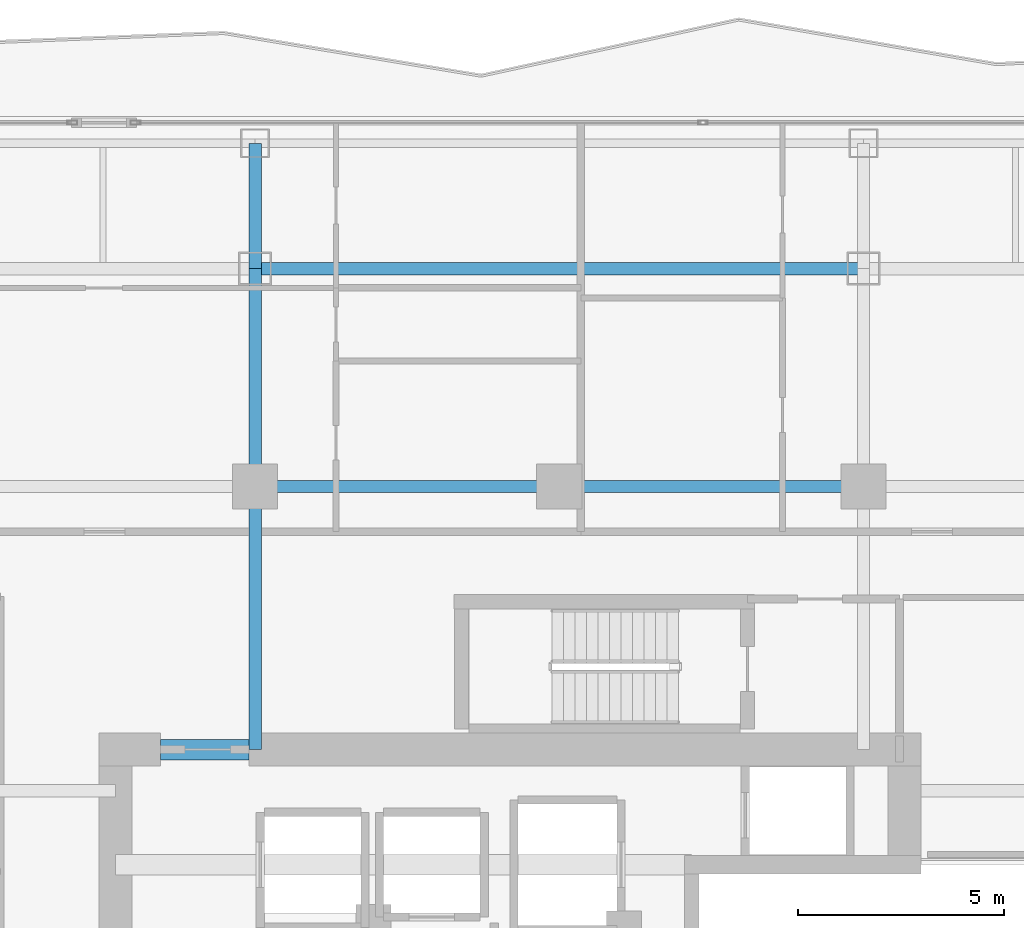
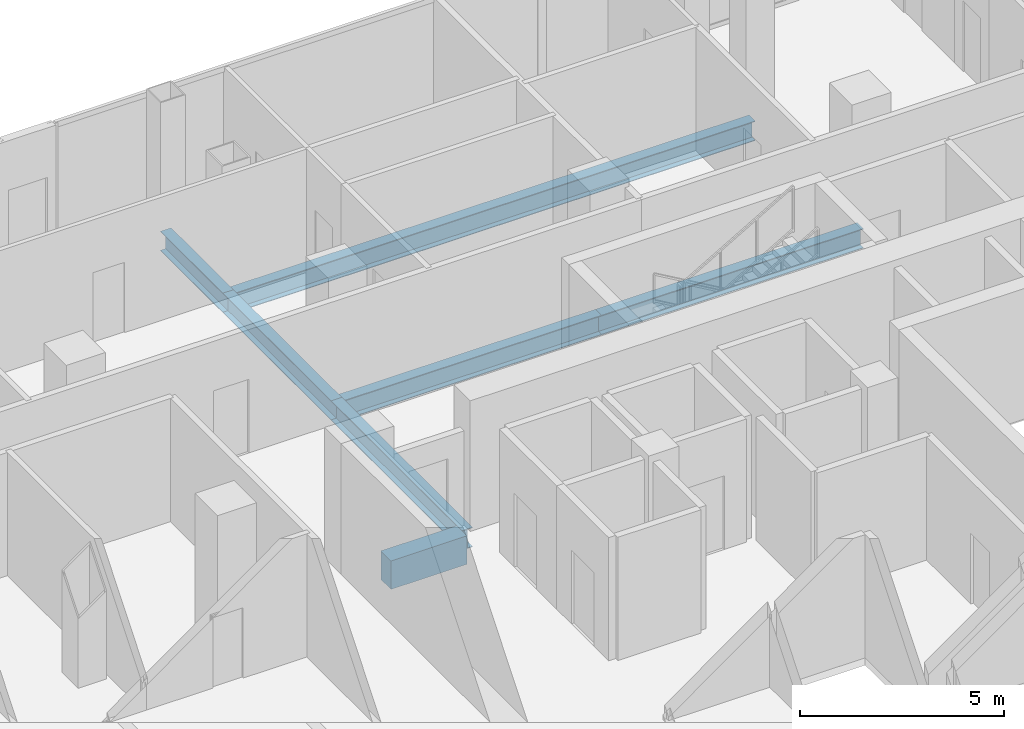
# One storey, part 12 of 25: 7 beams.
"""IFC4 building model written with IfcOpenShell, lengths in metres."""

import ifcopenshell
import ifcopenshell.guid

model = None  # the IFC model being written
_history = None  # IfcOwnerHistory: only IFC2X3 demands one
_inside = {}  # id of a spatial element -> (the spatial element, [elements in it])
_under = {}  # id of a project, library or spatial element -> (it, [spatial elements below it])
_declared = {}  # id of a project -> (the project, [libraries it declares])
_typed = {}  # id of a type object -> (the type object, [elements of that type])
_made_of = {}  # id of a material, layer set ... -> (it, [elements and type objects made of it])


def new_model(schema):
    """Start an empty IFC model of exactly this schema.

    Asked for "IFC4X3", IfcOpenShell would pick the latest addendum, in which some entities
    have other attributes; the version numbers below select the first issue.
    IFC2X3 requires an IfcOwnerHistory on every rooted entity: one is made here for all.
    """
    global model, _history
    if schema == "IFC4X3":
        model = ifcopenshell.file(schema_version=(4, 3, 0, 0))
    else:
        model = ifcopenshell.file(schema=schema)
    _inside.clear()
    _under.clear()
    _declared.clear()
    _typed.clear()
    _made_of.clear()
    _history = None
    if model.schema == "IFC2X3":
        org = make("IfcOrganization", Name="unknown")
        user = make(
            "IfcPersonAndOrganization",
            ThePerson=make("IfcPerson", FamilyName="unknown"),
            TheOrganization=org,
        )
        app = make(
            "IfcApplication",
            ApplicationDeveloper=org,
            Version="unknown",
            ApplicationFullName="unknown",
            ApplicationIdentifier="unknown",
        )
        _history = make(
            "IfcOwnerHistory",
            OwningUser=user,
            OwningApplication=app,
            ChangeAction="ADDED",
            CreationDate=0,
        )
    return model


def make(cls, **values):
    """One entity of the class cls with the attributes given. An attribute that is None is left unset."""
    return model.create_entity(
        cls, **{name: value for name, value in values.items() if value is not None}
    )


def rooted(cls, **values):
    """An entity with a GlobalId (a new one), such as an element, a storey or a relation."""
    return make(cls, GlobalId=ifcopenshell.guid.new(), OwnerHistory=_history, **values)


def si_unit(unit_type, name, prefix=None):
    """IfcSIUnit, for example si_unit("LENGTHUNIT", "METRE", prefix="MILLI")."""
    return make("IfcSIUnit", UnitType=unit_type, Prefix=prefix, Name=name)


def assignment(units):
    """IfcUnitAssignment: the units of a project."""
    return None if units is None else make("IfcUnitAssignment", Units=units)


def point(xyz):
    """IfcCartesianPoint."""
    return None if xyz is None else make("IfcCartesianPoint", Coordinates=xyz)


def direction(xyz):
    """IfcDirection."""
    return None if xyz is None else make("IfcDirection", DirectionRatios=xyz)


def frame(location, z_axis=None, x_axis=None):
    """IfcAxis2Placement3D, a coordinate frame: its origin and axes. An axis left out is left unset."""
    return make(
        "IfcAxis2Placement3D",
        Location=point(location),
        Axis=direction(z_axis),
        RefDirection=direction(x_axis),
    )


def frame_2d(location, x_axis=None):
    """IfcAxis2Placement2D, a coordinate frame in the plane: its origin and x axis."""
    return make(
        "IfcAxis2Placement2D", Location=point(location), RefDirection=direction(x_axis)
    )


def origin():
    """The frame at (0, 0, 0) with its axes left unset."""
    return frame((0.0, 0.0, 0.0))


def origin_2d():
    """The frame at (0, 0) in the plane with its x axis left unset."""
    return frame_2d((0.0, 0.0))


def place(relative_to, where):
    """IfcLocalPlacement: puts the frame where relative to a parent placement (None: the world)."""
    return make(
        "IfcLocalPlacement", PlacementRelTo=relative_to, RelativePlacement=where
    )


def context(
    kind, dimensions, precision=None, world=None, true_north=None, identifier=None
):
    """IfcGeometricRepresentationContext, for example the 3D "Model" context."""
    return make(
        "IfcGeometricRepresentationContext",
        ContextIdentifier=identifier,
        ContextType=kind,
        CoordinateSpaceDimension=dimensions,
        Precision=precision,
        WorldCoordinateSystem=world,
        TrueNorth=true_north,
    )


def subcontext(parent, identifier, kind, view, scale=None):
    """IfcGeometricRepresentationSubContext, for example "Body" below "Model"."""
    return make(
        "IfcGeometricRepresentationSubContext",
        ContextIdentifier=identifier,
        ContextType=kind,
        ParentContext=parent,
        TargetScale=scale,
        TargetView=view,
    )


def project(units=None, contexts=None):
    """IfcProject with its units and contexts."""
    return rooted(
        "IfcProject",
        Name="project",
        RepresentationContexts=contexts,
        UnitsInContext=assignment(units),
    )


def spatial(cls, under=None, at=None, **own):
    """A site, building, storey or space (cls), placed at a placement, below another one or the project."""
    s = rooted(cls, ObjectPlacement=at, **own)
    if under is not None:
        _under.setdefault(under.id(), (under, []))[1].append(s)
    return s


def profile(cls, at=None, kind="AREA", **sizes):
    """A parametric profile (cls). Its sizes go by their IFC names, for example OverallWidth=200.0."""
    return make(cls, ProfileType=kind, Position=at, **sizes)


def rectangle(**sizes):
    """IfcRectangleProfileDef."""
    return profile("IfcRectangleProfileDef", **sizes)


def i_section(**sizes):
    """IfcIShapeProfileDef."""
    return profile("IfcIShapeProfileDef", **sizes)


def extrude(swept, where, along, depth):
    """IfcExtrudedAreaSolid: the profile swept, set in the frame where, extruded along a direction by depth."""
    return make(
        "IfcExtrudedAreaSolid",
        SweptArea=swept,
        Position=where,
        ExtrudedDirection=direction(along),
        Depth=depth,
    )


def shape(context_of_items, identifier, shape_type, items):
    """IfcShapeRepresentation: the items that make up one representation, for example the "Body"."""
    return make(
        "IfcShapeRepresentation",
        ContextOfItems=context_of_items,
        RepresentationIdentifier=identifier,
        RepresentationType=shape_type,
        Items=items,
    )


def material(Name=None, Category=None):
    """IfcMaterial."""
    return make("IfcMaterial", Name=Name, Category=Category)


def material_profile(
    of_material, cross_section, Name=None, Category=None, Priority=None
):
    """IfcMaterialProfile: a cross section and its material."""
    return make(
        "IfcMaterialProfile",
        Name=Name,
        Material=of_material,
        Profile=cross_section,
        Priority=Priority,
        Category=Category,
    )


def profile_set(profiles, Name=None, composite=None):
    """IfcMaterialProfileSet."""
    return make(
        "IfcMaterialProfileSet",
        Name=Name,
        MaterialProfiles=profiles,
        CompositeProfile=composite,
    )


def made_of(thing, what):
    """Note that an element or type object is made of a material, layer set ...; save() writes the relation."""
    if what is not None:
        _made_of.setdefault(what.id(), (what, []))[1].append(thing)
    return thing


def type_object(cls, material=None, **own):
    """A type object (cls), such as IfcWallType, which elements share."""
    return made_of(rooted(cls, **own), material)


def element(
    cls,
    number,
    at=None,
    inside=None,
    cuts=None,
    type_object=None,
    material=None,
    context=None,
    identifier="Body",
    shape_type=None,
    held_by="IfcProductDefinitionShape",
    body=None,
    shapes=None,
    **own,
):
    """One element of the class cls, such as IfcWall. Its Tag is "e" and its number.

    at: its placement. inside: the storey or other place that contains it. cuts: it is an
    opening in that element (IfcRelVoidsElement). A single representation is given by context,
    identifier, shape_type and body (its items); several are given by shapes. held_by: the class
    of the entity that holds the representations. save() writes the other relations.
    """
    e = rooted(cls, Tag="e%d" % number, ObjectPlacement=at, **own)
    if body is not None:
        shapes = [shape(context, identifier, shape_type, body)]
    if shapes is not None:
        e.Representation = make(held_by, Representations=shapes)
    if inside is not None:
        _inside.setdefault(inside.id(), (inside, []))[1].append(e)
    if cuts is not None:
        rooted(
            "IfcRelVoidsElement", RelatingBuildingElement=cuts, RelatedOpeningElement=e
        )
    if type_object is not None:
        _typed.setdefault(type_object.id(), (type_object, []))[1].append(e)
    return made_of(e, material)


def aggregate(whole, parts):
    """IfcRelAggregates: a whole, such as a stair, and the parts it consists of."""
    return rooted("IfcRelAggregates", RelatingObject=whole, RelatedObjects=parts)


def save(model, path):
    """Write the relations noted so far, then the file.

    IfcRelAggregates (storeys below a building ...), IfcRelContainedInSpatialStructure (elements
    in a storey), IfcRelDefinesByType, IfcRelAssociatesMaterial and IfcRelDeclares: one each for
    every whole, place, type object, material and project.
    """
    for whole, parts in _under.values():
        aggregate(whole, parts)
    for where, things in _inside.values():
        rooted(
            "IfcRelContainedInSpatialStructure",
            RelatedElements=things,
            RelatingStructure=where,
        )
    for kind, things in _typed.values():
        rooted("IfcRelDefinesByType", RelatedObjects=things, RelatingType=kind)
    for what, things in _made_of.values():
        rooted("IfcRelAssociatesMaterial", RelatedObjects=things, RelatingMaterial=what)
    for by, libraries in _declared.values():
        rooted("IfcRelDeclares", RelatingContext=by, RelatedDefinitions=libraries)
    model.write(path)


model = new_model("IFC4")

# Units and contexts
model_context = context("Model", 3, precision=1e-05, world=origin(), true_north=direction((0.0, 1.0)))
body_context = subcontext(model_context, "Body", "Model", "MODEL_VIEW")
ifc_project = project(units=[si_unit("LENGTHUNIT", "METRE"), si_unit("AREAUNIT", "SQUARE_METRE"), si_unit("VOLUMEUNIT", "CUBIC_METRE"), si_unit("PLANEANGLEUNIT", "RADIAN"), si_unit("MASSUNIT", "GRAM", prefix="KILO")], contexts=[model_context])

# Site, building, storey
site_placement = place(None, origin())
site = spatial("IfcSite", under=ifc_project, at=site_placement, CompositionType="ELEMENT")
building_placement = place(site_placement, origin())
building = spatial("IfcBuilding", under=site, at=building_placement, Name="Khorvyn Point Tower", CompositionType="ELEMENT")
storey_placement = place(building_placement, frame((0.0, 0.0, 171.89990234375)))
storey = spatial("IfcBuildingStorey", under=building, at=storey_placement, Name="L42", CompositionType="ELEMENT", Elevation=171.89990234375)

# Beams
ifc_material_1 = material(Name="Concrete C45/55", Category="concrete")
ifc_material_profile_1 = material_profile(ifc_material_1, rectangle(XDim=0.5, YDim=0.85009765625, at=origin_2d()))
ifc_profile_set_1 = profile_set([ifc_material_profile_1], Name="Concrete C45/55 RC500x850")
beam_type_1 = type_object("IfcBeamType", Name="Concrete C45/55 Beam RC500x850", PredefinedType="BEAM", material=ifc_profile_set_1)
beam_1_placement = place(storey_placement, frame((-9.699951171875, 8.39990234375, -0.64501953125), z_axis=(1.0, 0.0, 0.0), x_axis=(0.0, 1.0, 0.0)))
element("IfcBeam", 1, at=beam_1_placement, inside=storey, type_object=beam_type_1, Name="L42 Core Northwest Portal Coupling Beam", PredefinedType="BEAM", context=body_context, shape_type="SweptSolid", body=[
    extrude(rectangle(XDim=0.5, YDim=0.85009765625, at=origin_2d()), origin(), (0.0, 0.0, 1.0), 2.14990234375),
])
ifc_material_2 = material(Name="Steel S355", Category="steel")
ifc_material_profile_2 = material_profile(ifc_material_2, i_section(OverallWidth=0.300048828125, OverallDepth=0.587890625, WebThickness=0.011962890625, FlangeThickness=0.02001953125, at=origin_2d()))
ifc_profile_set_2 = profile_set([ifc_material_profile_2], Name="Steel S355 H588x300x12x20")
beam_type_2 = type_object("IfcBeamType", Name="Steel S355 Beam H588x300x12x20", PredefinedType="BEAM", material=ifc_profile_set_2)
for number, where, z_axis, x_axis, name in (
    (2, (-7.39990234375, 14.800048828125, -0.513916015625), (1.0, 0.0, 0.0), (0.0, 1.0, 0.0), "Beam"),
    (3, (0.0, 14.800048828125, -0.513916015625), (1.0, 0.0, 0.0), (0.0, 1.0, 0.0), "Beam"),
):
    element("IfcBeam", number, at=place(storey_placement, frame(where, z_axis=z_axis, x_axis=x_axis)), inside=storey, type_object=beam_type_2, Name=name, PredefinedType="BEAM", context=body_context, shape_type="SweptSolid", body=[
        extrude(i_section(OverallWidth=0.300048828125, OverallDepth=0.587890625, WebThickness=0.011962890625, FlangeThickness=0.02001953125, at=origin_2d()), origin(), (0.0, 0.0, 1.0), 7.39990234375),
    ])
beam_2_placement = place(storey_placement, frame((-7.39990234375, 20.10009765625, -0.513916015625), z_axis=(1.0, 0.0, 0.0), x_axis=(0.0, 1.0, 0.0)))
element("IfcBeam", 4, at=beam_2_placement, inside=storey, type_object=beam_type_2, Name="Beam", PredefinedType="BEAM", context=body_context, shape_type="SweptSolid", body=[
    extrude(i_section(OverallWidth=0.300048828125, OverallDepth=0.587890625, WebThickness=0.011962890625, FlangeThickness=0.02001953125, at=origin_2d()), origin(), (0.0, 0.0, 1.0), 14.7998046875),
])
beam_3_placement = place(storey_placement, frame((-7.39990234375, 8.39990234375, -0.513916015625), z_axis=(0.0, 1.0, 0.0), x_axis=(-1.0, 0.0, 0.0)))
element("IfcBeam", 5, at=beam_3_placement, inside=storey, type_object=beam_type_2, Name="Beam", PredefinedType="BEAM", context=body_context, shape_type="SweptSolid", body=[
    extrude(i_section(OverallWidth=0.300048828125, OverallDepth=0.587890625, WebThickness=0.011962890625, FlangeThickness=0.02001953125, at=origin_2d()), origin(), (0.0, 0.0, 1.0), 6.400146484375),
])
beam_4_placement = place(storey_placement, frame((-7.39990234375, 14.800048828125, -0.513916015625), z_axis=(0.0, 1.0, 0.0), x_axis=(-1.0, 0.0, 0.0)))
element("IfcBeam", 6, at=beam_4_placement, inside=storey, type_object=beam_type_2, Name="Beam", PredefinedType="BEAM", context=body_context, shape_type="SweptSolid", body=[
    extrude(i_section(OverallWidth=0.300048828125, OverallDepth=0.587890625, WebThickness=0.011962890625, FlangeThickness=0.02001953125, at=origin_2d()), origin(), (0.0, 0.0, 1.0), 5.300048828125),
])
beam_5_placement = place(storey_placement, frame((-7.39990234375, 20.10009765625, -0.513916015625), z_axis=(0.0, 1.0, 0.0), x_axis=(-1.0, 0.0, 0.0)))
element("IfcBeam", 7, at=beam_5_placement, inside=storey, type_object=beam_type_2, Name="Beam", PredefinedType="BEAM", context=body_context, shape_type="SweptSolid", body=[
    extrude(i_section(OverallWidth=0.300048828125, OverallDepth=0.587890625, WebThickness=0.011962890625, FlangeThickness=0.02001953125, at=origin_2d()), origin(), (0.0, 0.0, 1.0), 3.0498046875),
])

save(model, "model.ifc")
